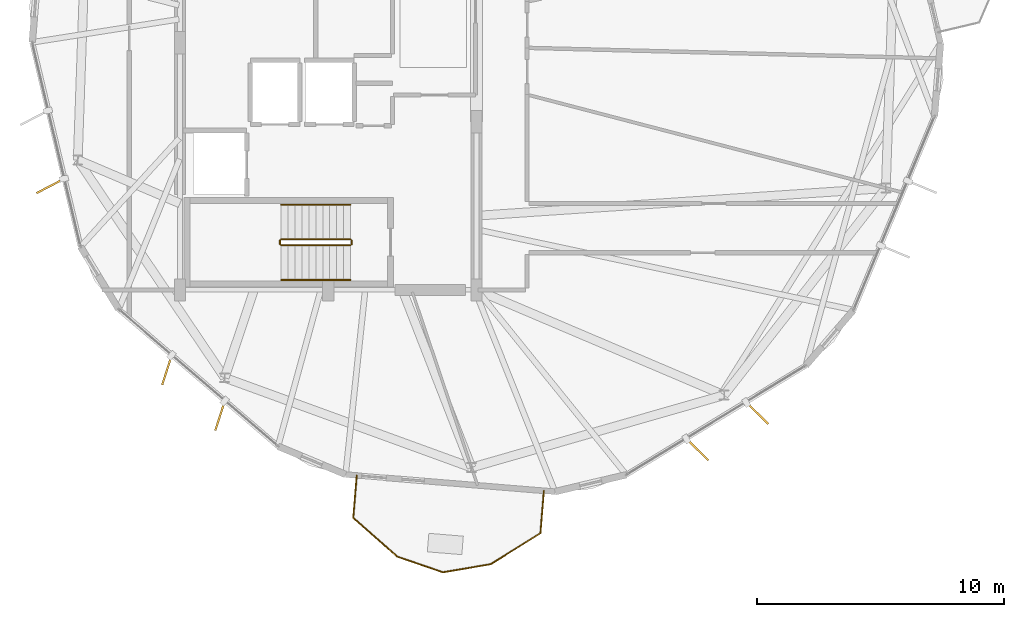
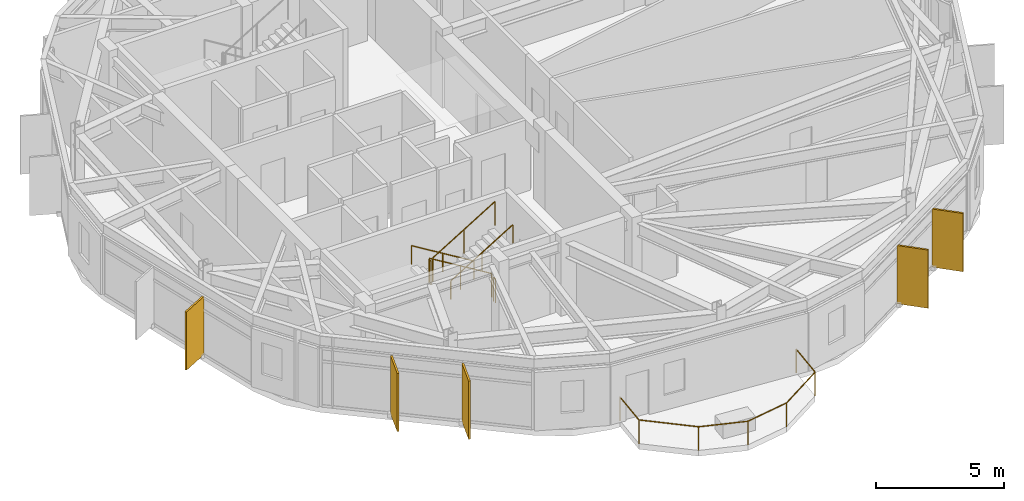
# One storey, part 21 of 23: 7 railings, 5 shading devices.
"""IFC4 building model written with IfcOpenShell, lengths in metres."""

import ifcopenshell
import ifcopenshell.guid

model = None  # the IFC model being written
_history = None  # IfcOwnerHistory: only IFC2X3 demands one
_inside = {}  # id of a spatial element -> (the spatial element, [elements in it])
_under = {}  # id of a project, library or spatial element -> (it, [spatial elements below it])
_declared = {}  # id of a project -> (the project, [libraries it declares])
_typed = {}  # id of a type object -> (the type object, [elements of that type])
_made_of = {}  # id of a material, layer set ... -> (it, [elements and type objects made of it])


def new_model(schema):
    """Start an empty IFC model of exactly this schema.

    Asked for "IFC4X3", IfcOpenShell would pick the latest addendum, in which some entities
    have other attributes; the version numbers below select the first issue.
    IFC2X3 requires an IfcOwnerHistory on every rooted entity: one is made here for all.
    """
    global model, _history
    if schema == "IFC4X3":
        model = ifcopenshell.file(schema_version=(4, 3, 0, 0))
    else:
        model = ifcopenshell.file(schema=schema)
    _inside.clear()
    _under.clear()
    _declared.clear()
    _typed.clear()
    _made_of.clear()
    _history = None
    if model.schema == "IFC2X3":
        org = make("IfcOrganization", Name="unknown")
        user = make(
            "IfcPersonAndOrganization",
            ThePerson=make("IfcPerson", FamilyName="unknown"),
            TheOrganization=org,
        )
        app = make(
            "IfcApplication",
            ApplicationDeveloper=org,
            Version="unknown",
            ApplicationFullName="unknown",
            ApplicationIdentifier="unknown",
        )
        _history = make(
            "IfcOwnerHistory",
            OwningUser=user,
            OwningApplication=app,
            ChangeAction="ADDED",
            CreationDate=0,
        )
    return model


def make(cls, **values):
    """One entity of the class cls with the attributes given. An attribute that is None is left unset."""
    return model.create_entity(
        cls, **{name: value for name, value in values.items() if value is not None}
    )


def rooted(cls, **values):
    """An entity with a GlobalId (a new one), such as an element, a storey or a relation."""
    return make(cls, GlobalId=ifcopenshell.guid.new(), OwnerHistory=_history, **values)


def si_unit(unit_type, name, prefix=None):
    """IfcSIUnit, for example si_unit("LENGTHUNIT", "METRE", prefix="MILLI")."""
    return make("IfcSIUnit", UnitType=unit_type, Prefix=prefix, Name=name)


def assignment(units):
    """IfcUnitAssignment: the units of a project."""
    return None if units is None else make("IfcUnitAssignment", Units=units)


def point(xyz):
    """IfcCartesianPoint."""
    return None if xyz is None else make("IfcCartesianPoint", Coordinates=xyz)


def direction(xyz):
    """IfcDirection."""
    return None if xyz is None else make("IfcDirection", DirectionRatios=xyz)


def frame(location, z_axis=None, x_axis=None):
    """IfcAxis2Placement3D, a coordinate frame: its origin and axes. An axis left out is left unset."""
    return make(
        "IfcAxis2Placement3D",
        Location=point(location),
        Axis=direction(z_axis),
        RefDirection=direction(x_axis),
    )


def frame_2d(location, x_axis=None):
    """IfcAxis2Placement2D, a coordinate frame in the plane: its origin and x axis."""
    return make(
        "IfcAxis2Placement2D", Location=point(location), RefDirection=direction(x_axis)
    )


def origin():
    """The frame at (0, 0, 0) with its axes left unset."""
    return frame((0.0, 0.0, 0.0))


def origin_2d():
    """The frame at (0, 0) in the plane with its x axis left unset."""
    return frame_2d((0.0, 0.0))


def place(relative_to, where):
    """IfcLocalPlacement: puts the frame where relative to a parent placement (None: the world)."""
    return make(
        "IfcLocalPlacement", PlacementRelTo=relative_to, RelativePlacement=where
    )


def context(
    kind, dimensions, precision=None, world=None, true_north=None, identifier=None
):
    """IfcGeometricRepresentationContext, for example the 3D "Model" context."""
    return make(
        "IfcGeometricRepresentationContext",
        ContextIdentifier=identifier,
        ContextType=kind,
        CoordinateSpaceDimension=dimensions,
        Precision=precision,
        WorldCoordinateSystem=world,
        TrueNorth=true_north,
    )


def subcontext(parent, identifier, kind, view, scale=None):
    """IfcGeometricRepresentationSubContext, for example "Body" below "Model"."""
    return make(
        "IfcGeometricRepresentationSubContext",
        ContextIdentifier=identifier,
        ContextType=kind,
        ParentContext=parent,
        TargetScale=scale,
        TargetView=view,
    )


def project(units=None, contexts=None):
    """IfcProject with its units and contexts."""
    return rooted(
        "IfcProject",
        Name="project",
        RepresentationContexts=contexts,
        UnitsInContext=assignment(units),
    )


def spatial(cls, under=None, at=None, **own):
    """A site, building, storey or space (cls), placed at a placement, below another one or the project."""
    s = rooted(cls, ObjectPlacement=at, **own)
    if under is not None:
        _under.setdefault(under.id(), (under, []))[1].append(s)
    return s


def profile(cls, at=None, kind="AREA", **sizes):
    """A parametric profile (cls). Its sizes go by their IFC names, for example OverallWidth=200.0."""
    return make(cls, ProfileType=kind, Position=at, **sizes)


def rectangle(**sizes):
    """IfcRectangleProfileDef."""
    return profile("IfcRectangleProfileDef", **sizes)


def circle(**sizes):
    """IfcCircleProfileDef."""
    return profile("IfcCircleProfileDef", **sizes)


def extrude(swept, where, along, depth):
    """IfcExtrudedAreaSolid: the profile swept, set in the frame where, extruded along a direction by depth."""
    return make(
        "IfcExtrudedAreaSolid",
        SweptArea=swept,
        Position=where,
        ExtrudedDirection=direction(along),
        Depth=depth,
    )


def shape(context_of_items, identifier, shape_type, items):
    """IfcShapeRepresentation: the items that make up one representation, for example the "Body"."""
    return make(
        "IfcShapeRepresentation",
        ContextOfItems=context_of_items,
        RepresentationIdentifier=identifier,
        RepresentationType=shape_type,
        Items=items,
    )


def material(Name=None, Category=None):
    """IfcMaterial."""
    return make("IfcMaterial", Name=Name, Category=Category)


def layer(
    of_material, thickness, ventilated=None, Name=None, Category=None, Priority=None
):
    """IfcMaterialLayer: one layer of a wall or slab, of a material (None: an air gap)."""
    return make(
        "IfcMaterialLayer",
        Material=of_material,
        LayerThickness=thickness,
        IsVentilated=ventilated,
        Name=Name,
        Category=Category,
        Priority=Priority,
    )


def layer_set(layers, Name=None):
    """IfcMaterialLayerSet."""
    return make("IfcMaterialLayerSet", MaterialLayers=layers, LayerSetName=Name)


def made_of(thing, what):
    """Note that an element or type object is made of a material, layer set ...; save() writes the relation."""
    if what is not None:
        _made_of.setdefault(what.id(), (what, []))[1].append(thing)
    return thing


def type_object(cls, material=None, **own):
    """A type object (cls), such as IfcWallType, which elements share."""
    return made_of(rooted(cls, **own), material)


def element(
    cls,
    number,
    at=None,
    inside=None,
    cuts=None,
    type_object=None,
    material=None,
    context=None,
    identifier="Body",
    shape_type=None,
    held_by="IfcProductDefinitionShape",
    body=None,
    shapes=None,
    **own,
):
    """One element of the class cls, such as IfcWall. Its Tag is "e" and its number.

    at: its placement. inside: the storey or other place that contains it. cuts: it is an
    opening in that element (IfcRelVoidsElement). A single representation is given by context,
    identifier, shape_type and body (its items); several are given by shapes. held_by: the class
    of the entity that holds the representations. save() writes the other relations.
    """
    e = rooted(cls, Tag="e%d" % number, ObjectPlacement=at, **own)
    if body is not None:
        shapes = [shape(context, identifier, shape_type, body)]
    if shapes is not None:
        e.Representation = make(held_by, Representations=shapes)
    if inside is not None:
        _inside.setdefault(inside.id(), (inside, []))[1].append(e)
    if cuts is not None:
        rooted(
            "IfcRelVoidsElement", RelatingBuildingElement=cuts, RelatedOpeningElement=e
        )
    if type_object is not None:
        _typed.setdefault(type_object.id(), (type_object, []))[1].append(e)
    return made_of(e, material)


def aggregate(whole, parts):
    """IfcRelAggregates: a whole, such as a stair, and the parts it consists of."""
    return rooted("IfcRelAggregates", RelatingObject=whole, RelatedObjects=parts)


def save(model, path):
    """Write the relations noted so far, then the file.

    IfcRelAggregates (storeys below a building ...), IfcRelContainedInSpatialStructure (elements
    in a storey), IfcRelDefinesByType, IfcRelAssociatesMaterial and IfcRelDeclares: one each for
    every whole, place, type object, material and project.
    """
    for whole, parts in _under.values():
        aggregate(whole, parts)
    for where, things in _inside.values():
        rooted(
            "IfcRelContainedInSpatialStructure",
            RelatedElements=things,
            RelatingStructure=where,
        )
    for kind, things in _typed.values():
        rooted("IfcRelDefinesByType", RelatedObjects=things, RelatingType=kind)
    for what, things in _made_of.values():
        rooted("IfcRelAssociatesMaterial", RelatedObjects=things, RelatingMaterial=what)
    for by, libraries in _declared.values():
        rooted("IfcRelDeclares", RelatingContext=by, RelatedDefinitions=libraries)
    model.write(path)


model = new_model("IFC4")

# Units and contexts
model_context = context("Model", 3, precision=1e-05, world=origin(), true_north=direction((0.0, 1.0)))
body_context = subcontext(model_context, "Body", "Model", "MODEL_VIEW")
ifc_project = project(units=[si_unit("LENGTHUNIT", "METRE"), si_unit("AREAUNIT", "SQUARE_METRE"), si_unit("VOLUMEUNIT", "CUBIC_METRE"), si_unit("PLANEANGLEUNIT", "RADIAN"), si_unit("MASSUNIT", "GRAM", prefix="KILO")], contexts=[model_context])

# Site, building, storey
site_placement = place(None, origin())
site = spatial("IfcSite", under=ifc_project, at=site_placement, CompositionType="ELEMENT")
building_placement = place(site_placement, origin())
building = spatial("IfcBuilding", under=site, at=building_placement, Name="Soratama Intermodal Tower", CompositionType="ELEMENT")
storey_placement = place(building_placement, frame((0.0, 0.0, 280.0)))
storey = spatial("IfcBuildingStorey", under=building, at=storey_placement, Name="L71", CompositionType="ELEMENT", Elevation=280.0)

# Railings
ifc_material_1 = material(Name="Laminated glass and stainless steel balustrade", Category="steel")
railing_type_1 = type_object("IfcRailingType", Name="RL-BAL-1150", PredefinedType="BALUSTRADE", material=ifc_material_1)
railing_1_placement = place(storey_placement, frame((47.328369140625, 6.86962890625, 0.0)))
element("IfcRailing", 1, at=railing_1_placement, inside=storey, type_object=railing_type_1, Name="L71 Balcony Balustrade 3", PredefinedType="BALUSTRADE", context=body_context, shape_type="SweptSolid", body=[
    extrude(circle(Radius=0.02392578125, at=origin_2d()), frame((0.0, 0.0, 1.1259765625), z_axis=(-0.081623891435, -0.996663203067, 0.0), x_axis=(0.996663203067, -0.081623891435, 0.0)), (0.0, 0.0, 1.0), 1.719970703125),
    extrude(circle(Radius=0.02392578125, at=origin_2d()), frame((-0.140380859375, -1.714111328125, 1.1259765625), z_axis=(-0.848004093319, -0.529989676989, 0.0), x_axis=(0.529989676989, -0.848004093319, 0.0)), (0.0, 0.0, 1.0), 2.369140625),
    extrude(circle(Radius=0.02392578125, at=origin_2d()), frame((-2.1494140625, -2.9697265625, 1.1259765625), z_axis=(-0.985898195013, -0.167346195264, 0.0), x_axis=(0.167346195264, -0.985898195013, 0.0)), (0.0, 0.0, 1.0), 1.960693359375),
    extrude(circle(Radius=0.02392578125, at=origin_2d()), frame((-4.08251953125, -3.2978515625, 1.1259765625), z_axis=(-0.945563338047, 0.325438125827, 0.0), x_axis=(-0.325438125827, -0.945563338047, 0.0)), (0.0, 0.0, 1.0), 1.9609375),
    extrude(circle(Radius=0.02392578125, at=origin_2d()), frame((-5.936767578125, -2.65966796875, 1.1259765625), z_axis=(-0.750562211064, 0.660799793676, 0.0), x_axis=(-0.660799793676, -0.750562211064, 0.0)), (0.0, 0.0, 1.0), 2.368896484375),
    extrude(circle(Radius=0.02392578125, at=origin_2d()), frame((-7.71484375, -1.09423828125, 1.1259765625), z_axis=(0.08161234484, 0.996664148633, 0.0), x_axis=(-0.996664148633, 0.08161234484, 0.0)), (0.0, 0.0, 1.0), 1.72021484375),
    extrude(circle(Radius=0.02099609375, at=origin_2d()), origin(), (0.0, 0.0, 1.0), 1.101806640625),
    extrude(circle(Radius=0.02099609375, at=origin_2d()), frame((-0.140380859375, -1.714111328125, 0.0)), (0.0, 0.0, 1.0), 1.101806640625),
    extrude(circle(Radius=0.02099609375, at=origin_2d()), frame((-2.1494140625, -2.9697265625, 0.0)), (0.0, 0.0, 1.0), 1.101806640625),
    extrude(circle(Radius=0.02099609375, at=origin_2d()), frame((-4.08251953125, -3.2978515625, 0.0)), (0.0, 0.0, 1.0), 1.101806640625),
    extrude(circle(Radius=0.02099609375, at=origin_2d()), frame((-5.936767578125, -2.65966796875, 0.0)), (0.0, 0.0, 1.0), 1.101806640625),
    extrude(circle(Radius=0.02099609375, at=origin_2d()), frame((-7.71484375, -1.09423828125, 0.0)), (0.0, 0.0, 1.0), 1.101806640625),
    extrude(circle(Radius=0.02099609375, at=origin_2d()), frame((-7.574462890625, 0.6201171875, 0.0)), (0.0, 0.0, 1.0), 1.101806640625),
])
ifc_material_2 = material(Name="Painted steel stair guardrail", Category="steel")
railing_type_2 = type_object("IfcRailingType", Name="RL-STAIR-GUARD", PredefinedType="GUARDRAIL", material=ifc_material_2)
railing_2_placement = place(storey_placement, frame((39.5, 17.050048828125, 0.17041015625)))
element("IfcRailing", 2, at=railing_2_placement, inside=storey, type_object=railing_type_2, Name="L71 ST-1 stair guard 1", PredefinedType="GUARDRAIL", context=body_context, shape_type="SweptSolid", body=[
    extrude(circle(Radius=0.02392578125, at=origin_2d()), frame((0.0, 0.0, 1.1259765625), z_axis=(-0.854169791009, 0.0, 0.51999420009), x_axis=(0.0, -1.0, 0.0)), (0.0, 0.0, 1.0), 3.278076171875),
    extrude(circle(Radius=0.02099609375, at=origin_2d()), origin(), (0.0, 0.0, 1.0), 1.101806640625),
    extrude(circle(Radius=0.02099609375, at=origin_2d()), frame((-1.39990234375, 0.0, 0.852294921875)), (0.0, 0.0, 1.0), 1.101806640625),
    extrude(circle(Radius=0.02099609375, at=origin_2d()), frame((-2.800048828125, 0.0, 1.70458984375)), (0.0, 0.0, 1.0), 1.101806640625),
])
railing_3_placement = place(storey_placement, frame((36.64990234375, 17.0, 1.875)))
element("IfcRailing", 3, at=railing_3_placement, inside=storey, type_object=railing_type_2, Name="L71 ST-1 stair guard 2", PredefinedType="GUARDRAIL", context=body_context, shape_type="SweptSolid", body=[
    extrude(circle(Radius=0.02392578125, at=origin_2d()), frame((0.0, 0.0, 1.1259765625), z_axis=(0.0, -1.0, 0.0), x_axis=(1.0, 0.0, 0.0)), (0.0, 0.0, 1.0), 0.14990234375),
    extrude(circle(Radius=0.02099609375, at=origin_2d()), origin(), (0.0, 0.0, 1.0), 1.101806640625),
    extrude(circle(Radius=0.02099609375, at=origin_2d()), frame((0.0, -0.14990234375, 0.0)), (0.0, 0.0, 1.0), 1.101806640625),
])
railing_4_placement = place(storey_placement, frame((36.699951171875, 16.800048828125, 2.04541015625)))
element("IfcRailing", 4, at=railing_4_placement, inside=storey, type_object=railing_type_2, Name="L71 ST-1 stair guard 3", PredefinedType="GUARDRAIL", context=body_context, shape_type="SweptSolid", body=[
    extrude(circle(Radius=0.02392578125, at=origin_2d()), frame((0.0, 0.0, 1.1259765625), z_axis=(0.854169791009, 0.0, 0.51999420009), x_axis=(0.0, 1.0, 0.0)), (0.0, 0.0, 1.0), 3.278076171875),
    extrude(circle(Radius=0.02099609375, at=origin_2d()), origin(), (0.0, 0.0, 1.0), 1.101806640625),
    extrude(circle(Radius=0.02099609375, at=origin_2d()), frame((1.39990234375, 0.0, 0.852294921875)), (0.0, 0.0, 1.0), 1.101806640625),
    extrude(circle(Radius=0.02099609375, at=origin_2d()), frame((2.800048828125, 0.0, 1.70458984375)), (0.0, 0.0, 1.0), 1.101806640625),
])
railing_5_placement = place(storey_placement, frame((39.550048828125, 17.0, 0.0)))
element("IfcRailing", 5, at=railing_5_placement, inside=storey, type_object=railing_type_2, Name="L71 ST-1 stair guard 4", PredefinedType="GUARDRAIL", context=body_context, shape_type="SweptSolid", body=[
    extrude(circle(Radius=0.02392578125, at=origin_2d()), frame((0.0, 0.0, 1.1259765625), z_axis=(0.0, -1.0, 0.0), x_axis=(1.0, 0.0, 0.0)), (0.0, 0.0, 1.0), 0.14990234375),
    extrude(circle(Radius=0.02099609375, at=origin_2d()), origin(), (0.0, 0.0, 1.0), 1.101806640625),
    extrude(circle(Radius=0.02099609375, at=origin_2d()), frame((0.0, -0.14990234375, 0.0)), (0.0, 0.0, 1.0), 1.101806640625),
])
ifc_material_3 = material(Name="Brushed stainless steel handrail", Category="steel")
railing_type_3 = type_object("IfcRailingType", Name="RL-STAIR-HAND", PredefinedType="HANDRAIL", material=ifc_material_3)
railing_6_placement = place(storey_placement, frame((39.5, 18.449951171875, 0.17041015625)))
element("IfcRailing", 6, at=railing_6_placement, inside=storey, type_object=railing_type_3, Name="L71 ST-1 stair handrail 1", PredefinedType="HANDRAIL", context=body_context, shape_type="SweptSolid", body=[
    extrude(circle(Radius=0.02392578125, at=origin_2d()), frame((0.0, 0.0, 0.8759765625), z_axis=(-0.854169791009, 0.0, 0.51999420009), x_axis=(0.0, -1.0, 0.0)), (0.0, 0.0, 1.0), 3.278076171875),
    extrude(circle(Radius=0.02099609375, at=origin_2d()), origin(), (0.0, 0.0, 1.0), 0.851806640625),
    extrude(circle(Radius=0.02099609375, at=origin_2d()), frame((-1.39990234375, 0.0, 0.852294921875)), (0.0, 0.0, 1.0), 0.851806640625),
    extrude(circle(Radius=0.02099609375, at=origin_2d()), frame((-2.800048828125, 0.0, 1.70458984375)), (0.0, 0.0, 1.0), 0.851806640625),
])
railing_7_placement = place(storey_placement, frame((36.699951171875, 15.39990234375, 2.04541015625)))
element("IfcRailing", 7, at=railing_7_placement, inside=storey, type_object=railing_type_3, Name="L71 ST-1 stair handrail 2", PredefinedType="HANDRAIL", context=body_context, shape_type="SweptSolid", body=[
    extrude(circle(Radius=0.02392578125, at=origin_2d()), frame((0.0, 0.0, 0.8759765625), z_axis=(0.854169791009, 0.0, 0.51999420009), x_axis=(0.0, 1.0, 0.0)), (0.0, 0.0, 1.0), 3.278076171875),
    extrude(circle(Radius=0.02099609375, at=origin_2d()), origin(), (0.0, 0.0, 1.0), 0.851806640625),
    extrude(circle(Radius=0.02099609375, at=origin_2d()), frame((1.39990234375, 0.0, 0.852294921875)), (0.0, 0.0, 1.0), 0.851806640625),
    extrude(circle(Radius=0.02099609375, at=origin_2d()), frame((2.800048828125, 0.0, 1.70458984375)), (0.0, 0.0, 1.0), 0.851806640625),
])

# Shading devices
ifc_material_4 = material(Name="Champagne anodised aluminium solar fin", Category="aluminium")
ifc_layer = layer(ifc_material_4, 0.080078125)
ifc_layer_set = layer_set([ifc_layer], Name="Champagne anodised aluminium solar fin")
shading_device_type = type_object("IfcShadingDeviceType", Name="SH-FIN-1250", PredefinedType="USERDEFINED", material=ifc_layer_set)
for number, where, z_axis, x_axis, name in (
    (8, (27.35498046875, 19.205078125, 0.02001953125), (0.0, 0.0, 1.0), (-0.887574303404, -0.460664580728, 0.0), "L71 Solar Fin F04-2"),
    (9, (32.0732421875, 11.75, 0.02001953125), (0.0, 0.0, 1.0), (-0.306526078098, -0.951862260753, 0.0), "L71 Solar Fin F05-1"),
    (10, (34.221923828125, 9.9033203125, 0.02001953125), (0.0, 0.0, 1.0), (-0.306526078098, -0.951862260753, 0.0), "L71 Solar Fin F05-2"),
    (11, (53.543701171875, 8.53662109375, 0.02001953125), (0.0, 0.0, 1.0), (0.71239359485, -0.701780140797, 0.0), "L71 Solar Fin F07-1"),
    (12, (55.964111328125, 10.009521484375, 0.02001953125), (0.0, 0.0, 1.0), (0.71239359485, -0.701780140797, 0.0), "L71 Solar Fin F07-2"),
):
    element("IfcShadingDevice", number, at=place(storey_placement, frame(where, z_axis=z_axis, x_axis=x_axis)), inside=storey, type_object=shading_device_type, Name=name, ObjectType="FIN", PredefinedType="USERDEFINED", context=body_context, shape_type="SweptSolid", body=[
        extrude(rectangle(XDim=1.25, YDim=0.080078125, at=origin_2d()), origin(), (0.0, 0.0, 1.0), 2.76904296875),
    ])

save(model, "model.ifc")
